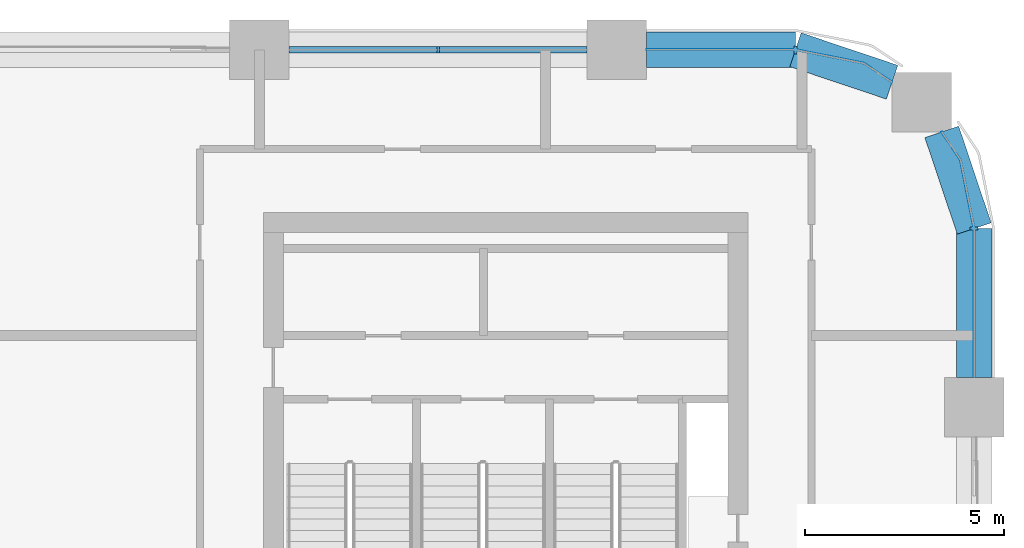
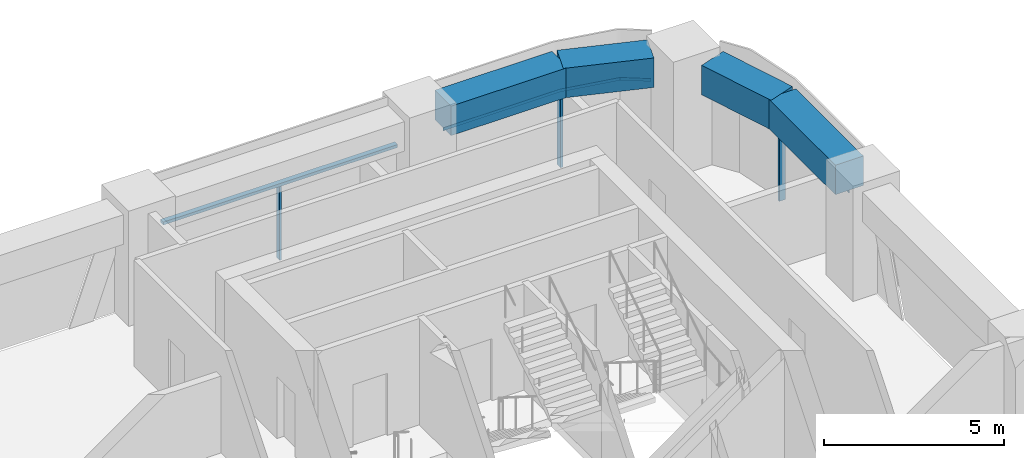
# One storey, part 6 of 14: 6 members, 4 beams, 3 elements without a shape of their own.
"""IFC4 building model written with IfcOpenShell, lengths in metres."""

import ifcopenshell
import ifcopenshell.guid

model = None  # the IFC model being written
_history = None  # IfcOwnerHistory: only IFC2X3 demands one
_inside = {}  # id of a spatial element -> (the spatial element, [elements in it])
_under = {}  # id of a project, library or spatial element -> (it, [spatial elements below it])
_declared = {}  # id of a project -> (the project, [libraries it declares])
_typed = {}  # id of a type object -> (the type object, [elements of that type])
_made_of = {}  # id of a material, layer set ... -> (it, [elements and type objects made of it])


def new_model(schema):
    """Start an empty IFC model of exactly this schema.

    Asked for "IFC4X3", IfcOpenShell would pick the latest addendum, in which some entities
    have other attributes; the version numbers below select the first issue.
    IFC2X3 requires an IfcOwnerHistory on every rooted entity: one is made here for all.
    """
    global model, _history
    if schema == "IFC4X3":
        model = ifcopenshell.file(schema_version=(4, 3, 0, 0))
    else:
        model = ifcopenshell.file(schema=schema)
    _inside.clear()
    _under.clear()
    _declared.clear()
    _typed.clear()
    _made_of.clear()
    _history = None
    if model.schema == "IFC2X3":
        org = make("IfcOrganization", Name="unknown")
        user = make(
            "IfcPersonAndOrganization",
            ThePerson=make("IfcPerson", FamilyName="unknown"),
            TheOrganization=org,
        )
        app = make(
            "IfcApplication",
            ApplicationDeveloper=org,
            Version="unknown",
            ApplicationFullName="unknown",
            ApplicationIdentifier="unknown",
        )
        _history = make(
            "IfcOwnerHistory",
            OwningUser=user,
            OwningApplication=app,
            ChangeAction="ADDED",
            CreationDate=0,
        )
    return model


def make(cls, **values):
    """One entity of the class cls with the attributes given. An attribute that is None is left unset."""
    return model.create_entity(
        cls, **{name: value for name, value in values.items() if value is not None}
    )


def rooted(cls, **values):
    """An entity with a GlobalId (a new one), such as an element, a storey or a relation."""
    return make(cls, GlobalId=ifcopenshell.guid.new(), OwnerHistory=_history, **values)


def si_unit(unit_type, name, prefix=None):
    """IfcSIUnit, for example si_unit("LENGTHUNIT", "METRE", prefix="MILLI")."""
    return make("IfcSIUnit", UnitType=unit_type, Prefix=prefix, Name=name)


def assignment(units):
    """IfcUnitAssignment: the units of a project."""
    return None if units is None else make("IfcUnitAssignment", Units=units)


def point(xyz):
    """IfcCartesianPoint."""
    return None if xyz is None else make("IfcCartesianPoint", Coordinates=xyz)


def direction(xyz):
    """IfcDirection."""
    return None if xyz is None else make("IfcDirection", DirectionRatios=xyz)


def frame(location, z_axis=None, x_axis=None):
    """IfcAxis2Placement3D, a coordinate frame: its origin and axes. An axis left out is left unset."""
    return make(
        "IfcAxis2Placement3D",
        Location=point(location),
        Axis=direction(z_axis),
        RefDirection=direction(x_axis),
    )


def frame_2d(location, x_axis=None):
    """IfcAxis2Placement2D, a coordinate frame in the plane: its origin and x axis."""
    return make(
        "IfcAxis2Placement2D", Location=point(location), RefDirection=direction(x_axis)
    )


def origin():
    """The frame at (0, 0, 0) with its axes left unset."""
    return frame((0.0, 0.0, 0.0))


def origin_2d():
    """The frame at (0, 0) in the plane with its x axis left unset."""
    return frame_2d((0.0, 0.0))


def place(relative_to, where):
    """IfcLocalPlacement: puts the frame where relative to a parent placement (None: the world)."""
    return make(
        "IfcLocalPlacement", PlacementRelTo=relative_to, RelativePlacement=where
    )


def context(
    kind, dimensions, precision=None, world=None, true_north=None, identifier=None
):
    """IfcGeometricRepresentationContext, for example the 3D "Model" context."""
    return make(
        "IfcGeometricRepresentationContext",
        ContextIdentifier=identifier,
        ContextType=kind,
        CoordinateSpaceDimension=dimensions,
        Precision=precision,
        WorldCoordinateSystem=world,
        TrueNorth=true_north,
    )


def subcontext(parent, identifier, kind, view, scale=None):
    """IfcGeometricRepresentationSubContext, for example "Body" below "Model"."""
    return make(
        "IfcGeometricRepresentationSubContext",
        ContextIdentifier=identifier,
        ContextType=kind,
        ParentContext=parent,
        TargetScale=scale,
        TargetView=view,
    )


def project(units=None, contexts=None):
    """IfcProject with its units and contexts."""
    return rooted(
        "IfcProject",
        Name="project",
        RepresentationContexts=contexts,
        UnitsInContext=assignment(units),
    )


def spatial(cls, under=None, at=None, **own):
    """A site, building, storey or space (cls), placed at a placement, below another one or the project."""
    s = rooted(cls, ObjectPlacement=at, **own)
    if under is not None:
        _under.setdefault(under.id(), (under, []))[1].append(s)
    return s


def polyline(points):
    """IfcPolyline through the points."""
    return make("IfcPolyline", Points=[point(p) for p in points])


def profile(cls, at=None, kind="AREA", **sizes):
    """A parametric profile (cls). Its sizes go by their IFC names, for example OverallWidth=200.0."""
    return make(cls, ProfileType=kind, Position=at, **sizes)


def rectangle(**sizes):
    """IfcRectangleProfileDef."""
    return profile("IfcRectangleProfileDef", **sizes)


def outline(outer, holes=None, kind="AREA"):
    """IfcArbitraryClosedProfileDef: a profile drawn as a closed curve; with holes, ...WithVoids."""
    if holes is None:
        return make("IfcArbitraryClosedProfileDef", ProfileType=kind, OuterCurve=outer)
    return make(
        "IfcArbitraryProfileDefWithVoids",
        ProfileType=kind,
        OuterCurve=outer,
        InnerCurves=holes,
    )


def extrude(swept, where, along, depth):
    """IfcExtrudedAreaSolid: the profile swept, set in the frame where, extruded along a direction by depth."""
    return make(
        "IfcExtrudedAreaSolid",
        SweptArea=swept,
        Position=where,
        ExtrudedDirection=direction(along),
        Depth=depth,
    )


def shape(context_of_items, identifier, shape_type, items):
    """IfcShapeRepresentation: the items that make up one representation, for example the "Body"."""
    return make(
        "IfcShapeRepresentation",
        ContextOfItems=context_of_items,
        RepresentationIdentifier=identifier,
        RepresentationType=shape_type,
        Items=items,
    )


def material(Name=None, Category=None):
    """IfcMaterial."""
    return make("IfcMaterial", Name=Name, Category=Category)


def material_profile(
    of_material, cross_section, Name=None, Category=None, Priority=None
):
    """IfcMaterialProfile: a cross section and its material."""
    return make(
        "IfcMaterialProfile",
        Name=Name,
        Material=of_material,
        Profile=cross_section,
        Priority=Priority,
        Category=Category,
    )


def profile_set(profiles, Name=None, composite=None):
    """IfcMaterialProfileSet."""
    return make(
        "IfcMaterialProfileSet",
        Name=Name,
        MaterialProfiles=profiles,
        CompositeProfile=composite,
    )


def made_of(thing, what):
    """Note that an element or type object is made of a material, layer set ...; save() writes the relation."""
    if what is not None:
        _made_of.setdefault(what.id(), (what, []))[1].append(thing)
    return thing


def type_object(cls, material=None, **own):
    """A type object (cls), such as IfcWallType, which elements share."""
    return made_of(rooted(cls, **own), material)


def element(
    cls,
    number,
    at=None,
    inside=None,
    cuts=None,
    type_object=None,
    material=None,
    context=None,
    identifier="Body",
    shape_type=None,
    held_by="IfcProductDefinitionShape",
    body=None,
    shapes=None,
    **own,
):
    """One element of the class cls, such as IfcWall. Its Tag is "e" and its number.

    at: its placement. inside: the storey or other place that contains it. cuts: it is an
    opening in that element (IfcRelVoidsElement). A single representation is given by context,
    identifier, shape_type and body (its items); several are given by shapes. held_by: the class
    of the entity that holds the representations. save() writes the other relations.
    """
    e = rooted(cls, Tag="e%d" % number, ObjectPlacement=at, **own)
    if body is not None:
        shapes = [shape(context, identifier, shape_type, body)]
    if shapes is not None:
        e.Representation = make(held_by, Representations=shapes)
    if inside is not None:
        _inside.setdefault(inside.id(), (inside, []))[1].append(e)
    if cuts is not None:
        rooted(
            "IfcRelVoidsElement", RelatingBuildingElement=cuts, RelatedOpeningElement=e
        )
    if type_object is not None:
        _typed.setdefault(type_object.id(), (type_object, []))[1].append(e)
    return made_of(e, material)


def aggregate(whole, parts):
    """IfcRelAggregates: a whole, such as a stair, and the parts it consists of."""
    return rooted("IfcRelAggregates", RelatingObject=whole, RelatedObjects=parts)


def save(model, path):
    """Write the relations noted so far, then the file.

    IfcRelAggregates (storeys below a building ...), IfcRelContainedInSpatialStructure (elements
    in a storey), IfcRelDefinesByType, IfcRelAssociatesMaterial and IfcRelDeclares: one each for
    every whole, place, type object, material and project.
    """
    for whole, parts in _under.values():
        aggregate(whole, parts)
    for where, things in _inside.values():
        rooted(
            "IfcRelContainedInSpatialStructure",
            RelatedElements=things,
            RelatingStructure=where,
        )
    for kind, things in _typed.values():
        rooted("IfcRelDefinesByType", RelatedObjects=things, RelatingType=kind)
    for what, things in _made_of.values():
        rooted("IfcRelAssociatesMaterial", RelatedObjects=things, RelatingMaterial=what)
    for by, libraries in _declared.values():
        rooted("IfcRelDeclares", RelatingContext=by, RelatedDefinitions=libraries)
    model.write(path)


model = new_model("IFC4")

# Units and contexts
model_context = context("Model", 3, precision=1e-05, world=origin(), true_north=direction((0.0, 1.0)))
body_context = subcontext(model_context, "Body", "Model", "MODEL_VIEW")
ifc_project = project(units=[si_unit("LENGTHUNIT", "METRE"), si_unit("AREAUNIT", "SQUARE_METRE"), si_unit("VOLUMEUNIT", "CUBIC_METRE"), si_unit("PLANEANGLEUNIT", "RADIAN"), si_unit("MASSUNIT", "GRAM", prefix="KILO")], contexts=[model_context])

# Site, building, storey
site_placement = place(None, origin())
site = spatial("IfcSite", under=ifc_project, at=site_placement, CompositionType="ELEMENT")
building_placement = place(site_placement, origin())
building = spatial("IfcBuilding", under=site, at=building_placement, Name="Tessera Arch", CompositionType="ELEMENT")
storey_placement = place(building_placement, frame((0.0, 0.0, 146.60009765625)))
storey = spatial("IfcBuildingStorey", under=building, at=storey_placement, Name="L34", CompositionType="ELEMENT", Elevation=146.60009765625)

# Curtain wall, members
ifc_material_1 = material(Name="CW1 curtain wall")
curtain_wall_type_1 = type_object("IfcCurtainWallType", Name="CW1 curtain wall", PredefinedType="NOTDEFINED", material=ifc_material_1)
curtain_wall_1_placement = place(storey_placement, origin())
curtain_wall_1 = element("IfcCurtainWall", 1, at=curtain_wall_1_placement, inside=storey, type_object=curtain_wall_type_1, Name="CW1 curtain wall N54.0/1 L34", PredefinedType="NOTDEFINED")
ifc_material_2 = material(Name="Anodised aluminium pale metal", Category="aluminium")
ifc_material_profile_1 = material_profile(ifc_material_2, rectangle(XDim=0.159912109375, YDim=0.06005859375, at=origin_2d()), Name="AL 60x160")
ifc_profile_set_1 = profile_set([ifc_material_profile_1], Name="Anodised aluminium pale metal")
member_type_1 = type_object("IfcMemberType", Name="CW1 mullion", PredefinedType="MULLION", material=ifc_profile_set_1)
member_1_placement = place(storey_placement, frame((40.5, 54.0, 0.0), z_axis=(0.0, 0.0, 1.0), x_axis=(0.0, -1.0, 0.0)))
member_1 = element("IfcMember", 2, at=member_1_placement, type_object=member_type_1, Name="CW1 mullion N54.0/1 1", PredefinedType="MULLION", context=body_context, shape_type="SweptSolid", body=[
    extrude(rectangle(XDim=0.159912109375, YDim=0.06005859375, at=origin_2d()), origin(), (0.0, 0.0, 1.0), 2.5),
])
ifc_material_3 = material(Name="Anodised aluminium pale metal", Category="aluminium")
ifc_material_profile_2 = material_profile(ifc_material_3, rectangle(XDim=0.159912109375, YDim=0.10009765625, at=origin_2d()), Name="AL 160x100")
ifc_profile_set_2 = profile_set([ifc_material_profile_2], Name="Anodised aluminium pale metal")
member_type_2 = type_object("IfcMemberType", Name="CW1 transom", PredefinedType="USERDEFINED", material=ifc_profile_set_2)
member_2_placement = place(storey_placement, frame((44.25, 54.0, 2.5498046875), z_axis=(-1.0, 0.0, 0.0), x_axis=(0.0, -1.0, 0.0)))
member_2 = element("IfcMember", 3, at=member_2_placement, type_object=member_type_2, Name="CW1 transom N54.0/1 1.1", ObjectType="TRANSOM", PredefinedType="USERDEFINED", context=body_context, shape_type="SweptSolid", body=[
    extrude(rectangle(XDim=0.159912109375, YDim=0.10009765625, at=origin_2d()), origin(), (0.0, 0.0, 1.0), 7.5),
])
aggregate(curtain_wall_1, [member_1, member_2])

# Curtain wall, member
ifc_material_4 = material(Name="CW2 curtain wall")
curtain_wall_type_2 = type_object("IfcCurtainWallType", Name="CW2 curtain wall", PredefinedType="NOTDEFINED", material=ifc_material_4)
curtain_wall_2_placement = place(storey_placement, origin())
curtain_wall_2 = element("IfcCurtainWall", 4, at=curtain_wall_2_placement, inside=storey, type_object=curtain_wall_type_2, Name="CW2 curtain wall E54.27/1 L34", PredefinedType="NOTDEFINED")
ifc_material_5 = material(Name="Anodised aluminium pale metal", Category="aluminium")
ifc_material_profile_3 = material_profile(ifc_material_5, rectangle(XDim=0.199951171875, YDim=0.080078125, at=origin_2d()), Name="AL 80x200")
ifc_profile_set_3 = profile_set([ifc_material_profile_3], Name="Anodised aluminium pale metal")
member_type_3 = type_object("IfcMemberType", Name="CW2 mullion", PredefinedType="MULLION", material=ifc_profile_set_3)
member_3_placement = place(storey_placement, frame((54.0, 49.5, 0.0), z_axis=(0.0, 0.0, 1.0), x_axis=(-1.0, 0.0, 0.0)))
member_3 = element("IfcMember", 5, at=member_3_placement, type_object=member_type_3, Name="CW2 mullion E54.27/1 1", PredefinedType="MULLION", context=body_context, shape_type="SweptSolid", body=[
    extrude(rectangle(XDim=0.199951171875, YDim=0.080078125, at=origin_2d()), origin(), (0.0, 0.0, 1.0), 2.5),
])

curtain_wall_3_placement = place(storey_placement, origin())
curtain_wall_3 = element("IfcCurtainWall", 6, at=curtain_wall_3_placement, inside=storey, type_object=curtain_wall_type_2, Name="CW2 curtain wall N54.0/0 L34", PredefinedType="NOTDEFINED")
member_4_placement = place(storey_placement, frame((49.5, 54.0, 0.0), z_axis=(0.0, 0.0, 1.0), x_axis=(0.0, -1.0, 0.0)))
member_4 = element("IfcMember", 7, at=member_4_placement, type_object=member_type_3, Name="CW2 mullion N54.0/0 1", PredefinedType="MULLION", context=body_context, shape_type="SweptSolid", body=[
    extrude(rectangle(XDim=0.199951171875, YDim=0.080078125, at=origin_2d()), origin(), (0.0, 0.0, 1.0), 2.5),
])

# Member
ifc_material_6 = material(Name="Anodised aluminium pale metal", Category="aluminium")
ifc_material_profile_4 = material_profile(ifc_material_6, rectangle(XDim=0.199951171875, YDim=0.10009765625, at=origin_2d()), Name="AL 200x100")
ifc_profile_set_4 = profile_set([ifc_material_profile_4], Name="Anodised aluminium pale metal")
member_type_4 = type_object("IfcMemberType", Name="CW2 transom", PredefinedType="USERDEFINED", material=ifc_profile_set_4)
member_5_placement = place(storey_placement, frame((0.0, 0.0, 2.5)))
member_5 = element("IfcMember", 8, at=member_5_placement, type_object=member_type_4, Name="CW2 transom E54.27/1 1", ObjectType="TRANSOM", PredefinedType="USERDEFINED", context=body_context, shape_type="SweptSolid", body=[
    extrude(outline(polyline([(53.989990234375, 49.4990234375), (53.989990234375, 45.75), (54.010009765625, 45.75), (54.010009765625, 49.5009765625), (53.6669921875, 51.22607421875), (53.19140625, 51.9375), (53.1748046875, 51.926513671875), (53.648193359375, 51.21826171875), (53.989990234375, 49.4990234375)])), origin(), (0.0, 0.0, 1.0), 0.099853515625),
])

aggregate(curtain_wall_2, [member_3, member_5])

member_6_placement = place(storey_placement, frame((0.0, 0.0, 2.5)))
member_6 = element("IfcMember", 9, at=member_6_placement, type_object=member_type_4, Name="CW2 transom N54.0/0 1", ObjectType="TRANSOM", PredefinedType="USERDEFINED", context=body_context, shape_type="SweptSolid", body=[
    extrude(outline(polyline([(51.21826171875, 53.648193359375), (51.926513671875, 53.1748046875), (51.9375, 53.19140625), (51.22607421875, 53.6669921875), (49.5009765625, 54.010009765625), (45.75, 54.010009765625), (45.75, 53.989990234375), (49.4990234375, 53.989990234375), (51.21826171875, 53.648193359375)])), origin(), (0.0, 0.0, 1.0), 0.099853515625),
])

aggregate(curtain_wall_3, [member_4, member_6])

# Beams
ifc_material_7 = material(Name="Concrete C70/85", Category="concrete")
ifc_material_profile_5 = material_profile(ifc_material_7, rectangle(XDim=0.89990234375, YDim=1.0, at=origin_2d()), Name="RC spandrel beam 900 x 1000 Concrete C70/85")
ifc_profile_set_5 = profile_set([ifc_material_profile_5], Name="Concrete C70/85")
beam_type = type_object("IfcBeamType", Name="RC spandrel beam 900 x 1000 Concrete C70/85", PredefinedType="BEAM", material=ifc_profile_set_5)
beam_1_placement = place(storey_placement, frame((54.0, 45.75, 3.099853515625), z_axis=(0.0, 1.0, 0.0), x_axis=(-1.0, 0.0, 0.0)))
element("IfcBeam", 10, at=beam_1_placement, inside=storey, type_object=beam_type, Name="Spandrel beam L34 E54.27/1.1", PredefinedType="BEAM", context=body_context, shape_type="SweptSolid", body=[
    extrude(rectangle(XDim=0.89990234375, YDim=1.0, at=origin_2d()), origin(), (0.0, 0.0, 1.0), 3.75),
])
for number, where, z_axis, x_axis, name in (
    (11, (54.0, 49.5, 3.099853515625), (-0.31842525032, 0.947947973234, 0.0), (-0.947947973234, -0.31842525032, 0.0), "Spandrel beam L34 E54.27/1.2"),
    (12, (51.931884765625, 53.18310546875, 3.099853515625), (-0.947947973234, 0.31842525032, 0.0), (-0.31842525032, -0.947947973234, 0.0), "Spandrel beam L34 N54.0/0.1"),
):
    element("IfcBeam", number, at=place(storey_placement, frame(where, z_axis=z_axis, x_axis=x_axis)), inside=storey, type_object=beam_type, Name=name, PredefinedType="BEAM", context=body_context, shape_type="SweptSolid", body=[
        extrude(rectangle(XDim=0.89990234375, YDim=1.0, at=origin_2d()), origin(), (0.0, 0.0, 1.0), 2.5654296875),
    ])
beam_2_placement = place(storey_placement, frame((49.5, 54.0, 3.099853515625), z_axis=(-1.0, 0.0, 0.0), x_axis=(0.0, -1.0, 0.0)))
element("IfcBeam", 13, at=beam_2_placement, inside=storey, type_object=beam_type, Name="Spandrel beam L34 N54.0/0.2", PredefinedType="BEAM", context=body_context, shape_type="SweptSolid", body=[
    extrude(rectangle(XDim=0.89990234375, YDim=1.0, at=origin_2d()), origin(), (0.0, 0.0, 1.0), 3.75),
])

save(model, "model.ifc")
